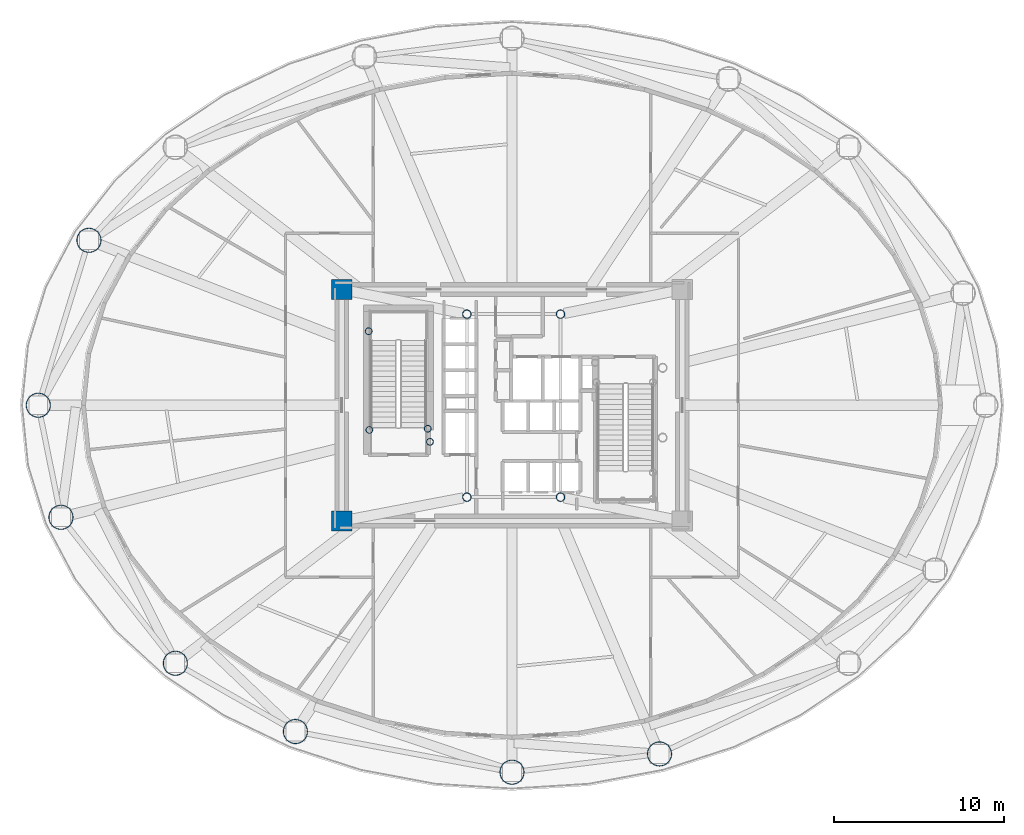
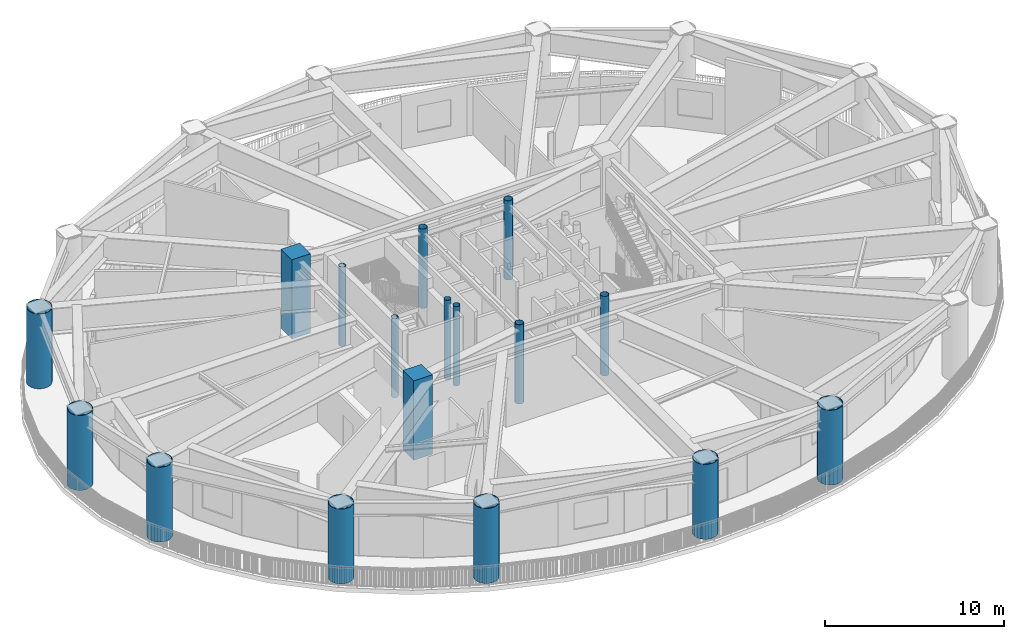
# One storey, part 1 of 15: 17 columns.
"""IFC4 building model written with IfcOpenShell, lengths in metres."""

from ifc_helpers import new_model, si_unit, direction, frame, origin, origin_2d, place, context, subcontext, project, spatial, rectangle, hollow_circle, extrude, material, material_profile, profile_set, type_object, element, save


model = new_model("IFC4")

# Units and contexts
model_context = context("Model", 3, precision=1e-05, world=origin(), true_north=direction((0.0, 1.0)))
body_context = subcontext(model_context, "Body", "Model", "MODEL_VIEW")
ifc_project = project(units=[si_unit("LENGTHUNIT", "METRE"), si_unit("AREAUNIT", "SQUARE_METRE"), si_unit("VOLUMEUNIT", "CUBIC_METRE"), si_unit("PLANEANGLEUNIT", "RADIAN"), si_unit("MASSUNIT", "GRAM", prefix="KILO")], contexts=[model_context])

# Site, building, storey
site_placement = place(None, origin())
site = spatial("IfcSite", under=ifc_project, at=site_placement, CompositionType="ELEMENT")
building_placement = place(site_placement, origin())
building = spatial("IfcBuilding", under=site, at=building_placement, Name="Linh Dai School and Residence Tower", CompositionType="ELEMENT")
storey_placement = place(building_placement, frame((0.0, 0.0, 145.949951171875)))
storey = spatial("IfcBuildingStorey", under=building, at=storey_placement, Name="L35", CompositionType="ELEMENT", Elevation=145.949951171875)

# Columns
ifc_material_1 = material(Name="Concrete B60 (C50/60)", Category="concrete")
ifc_material_profile_1 = material_profile(ifc_material_1, rectangle(XDim=1.199951171875, YDim=1.199951171875, at=origin_2d()), Name="RC 1200x1200")
ifc_profile_set_1 = profile_set([ifc_material_profile_1], Name="Concrete B60 (C50/60)")
column_type_1 = type_object("IfcColumnType", Name="COL-CC2", PredefinedType="COLUMN", material=ifc_profile_set_1)
for number, where, z_axis, x_axis, name in (
    (1, (26.0, 20.199951171875, 0.0), (0.0, 0.0, 1.0), (1.0, 0.0, 0.0), "L35 Core Corner Pier CC1"),
    (2, (26.0, 33.800048828125, 0.0), (0.0, 0.0, 1.0), (1.0, 0.0, 0.0), "L35 Core Corner Pier CC4"),
):
    element("IfcColumn", number, at=place(storey_placement, frame(where, z_axis=z_axis, x_axis=x_axis)), inside=storey, type_object=column_type_1, Name=name, PredefinedType="COLUMN", context=body_context, shape_type="SweptSolid", body=[
        extrude(rectangle(XDim=1.199951171875, YDim=1.199951171875, at=origin_2d()), origin(), (0.0, 0.0, 1.0), 5.400146484375),
    ])
ifc_material_2 = material(Name="Structural Steel S355JR", Category="steel")
ifc_material_profile_2 = material_profile(ifc_material_2, hollow_circle(Radius=0.203125, WallThickness=0.01611328125, at=origin_2d()), Name="CHS 406.4x16")
ifc_profile_set_2 = profile_set([ifc_material_profile_2], Name="Structural Steel S355JR")
column_type_2 = type_object("IfcColumnType", Name="COL-EC", PredefinedType="COLUMN", material=ifc_profile_set_2)
for number, where, z_axis, x_axis, name in (
    (3, (27.580078125, 31.35009765625, 0.0), (0.0, 0.0, 1.0), (1.0, 0.0, 0.0), "L35 Stair Shaft Landing Support Pier ST1NW"),
    (4, (31.050048828125, 25.6201171875, 0.0), (0.0, 0.0, 1.0), (1.0, 0.0, 0.0), "L35 Stair Shaft Landing Support Pier ST1SE"),
    (5, (31.179931640625, 24.85009765625, 0.0), (0.0, 0.0, 1.0), (1.0, 0.0, 0.0), "L35 Stair Shaft Landing Support Pier ST1SM"),
    (6, (27.6201171875, 25.550048828125, 0.0), (0.0, 0.0, 1.0), (1.0, 0.0, 0.0), "L35 Stair Shaft Landing Support Pier ST1SW"),
):
    element("IfcColumn", number, at=place(storey_placement, frame(where, z_axis=z_axis, x_axis=x_axis)), inside=storey, type_object=column_type_2, Name=name, PredefinedType="COLUMN", context=body_context, shape_type="SweptSolid", body=[
        extrude(hollow_circle(Radius=0.203125, WallThickness=0.01611328125, at=origin_2d()), origin(), (0.0, 0.0, 1.0), 5.400146484375),
    ])
ifc_material_profile_3 = material_profile(ifc_material_2, hollow_circle(Radius=0.72509765625, WallThickness=0.0419921875, at=origin_2d()), Name="CHS 1450x42")
ifc_profile_set_3 = profile_set([ifc_material_profile_3], Name="Structural Steel S355JR")
column_type_3 = type_object("IfcColumnType", Name="COL-MC3", PredefinedType="COLUMN", material=ifc_profile_set_3)
for number, where, z_axis, x_axis, name in (
    (7, (11.15087890625, 36.6875, 0.0), (0.0, 0.0, 1.0), (1.0, 0.0, 0.0), "L35 Perimeter CFT Mega-Column MC08"),
    (8, (8.175048828125, 27.0, 0.0), (0.0, 0.0, 1.0), (1.0, 0.0, 0.0), "L35 Perimeter CFT Mega-Column MC09"),
    (9, (9.50732421875, 20.4189453125, 0.0), (0.0, 0.0, 1.0), (1.0, 0.0, 0.0), "L35 Perimeter CFT Mega-Column MC10"),
    (10, (16.227294921875, 11.844482421875, 0.0), (0.0, 0.0, 1.0), (1.0, 0.0, 0.0), "L35 Perimeter CFT Mega-Column MC11"),
    (11, (23.278076171875, 7.8349609375, 0.0), (0.0, 0.0, 1.0), (1.0, 0.0, 0.0), "L35 Perimeter CFT Mega-Column MC12"),
    (12, (36.0, 5.445068359375, 0.0), (0.0, 0.0, 1.0), (1.0, 0.0, 0.0), "L35 Perimeter CFT Mega-Column MC13"),
    (13, (44.66552734375, 6.519287109375, 0.0), (0.0, 0.0, 1.0), (1.0, 0.0, 0.0), "L35 Perimeter CFT Mega-Column MC14"),
):
    element("IfcColumn", number, at=place(storey_placement, frame(where, z_axis=z_axis, x_axis=x_axis)), inside=storey, type_object=column_type_3, Name=name, PredefinedType="COLUMN", context=body_context, shape_type="SweptSolid", body=[
        extrude(hollow_circle(Radius=0.72509765625, WallThickness=0.0419921875, at=origin_2d()), origin(), (0.0, 0.0, 1.0), 5.10009765625),
    ])
ifc_material_profile_4 = material_profile(ifc_material_2, hollow_circle(Radius=0.25390625, WallThickness=0.02001953125, at=origin_2d()), Name="CHS 508x20")
ifc_profile_set_4 = profile_set([ifc_material_profile_4], Name="Structural Steel S355JR")
column_type_4 = type_object("IfcColumnType", Name="COL-MCP", PredefinedType="COLUMN", material=ifc_profile_set_4)
for number, where, z_axis, x_axis, name in (
    (14, (33.35009765625, 21.60009765625, 0.0), (0.0, 0.0, 1.0), (1.0, 0.0, 0.0), "L35 Core Mast Support Pier MCP1"),
    (15, (38.85009765625, 21.60009765625, 0.0), (0.0, 0.0, 1.0), (1.0, 0.0, 0.0), "L35 Core Mast Support Pier MCP2"),
    (16, (38.85009765625, 32.35009765625, 0.0), (0.0, 0.0, 1.0), (1.0, 0.0, 0.0), "L35 Core Mast Support Pier MCP3"),
    (17, (33.35009765625, 32.35009765625, 0.0), (0.0, 0.0, 1.0), (1.0, 0.0, 0.0), "L35 Core Mast Support Pier MCP4"),
):
    element("IfcColumn", number, at=place(storey_placement, frame(where, z_axis=z_axis, x_axis=x_axis)), inside=storey, type_object=column_type_4, Name=name, PredefinedType="COLUMN", context=body_context, shape_type="SweptSolid", body=[
        extrude(hollow_circle(Radius=0.25390625, WallThickness=0.02001953125, at=origin_2d()), origin(), (0.0, 0.0, 1.0), 5.400146484375),
    ])

save(model, "model.ifc")
